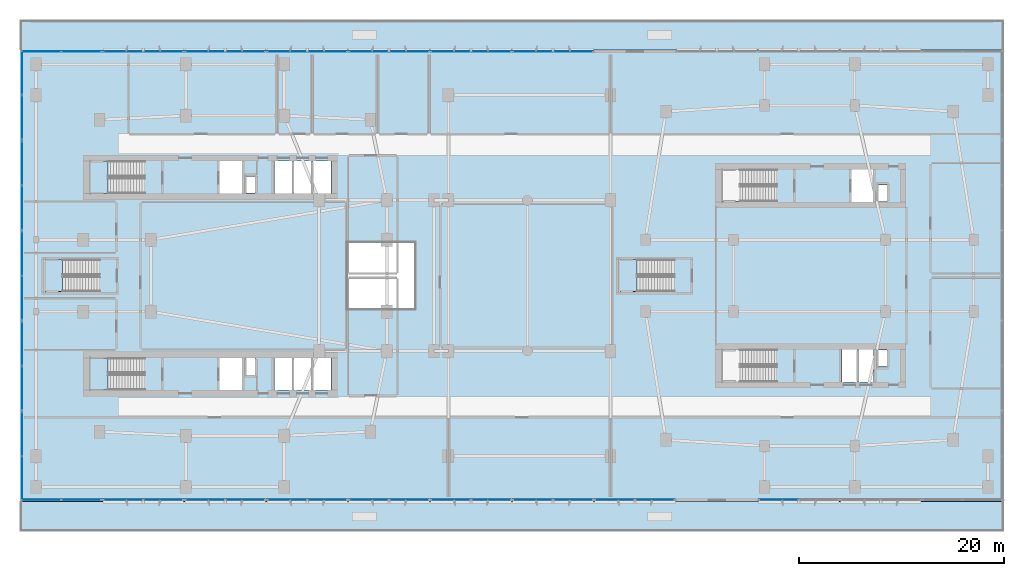
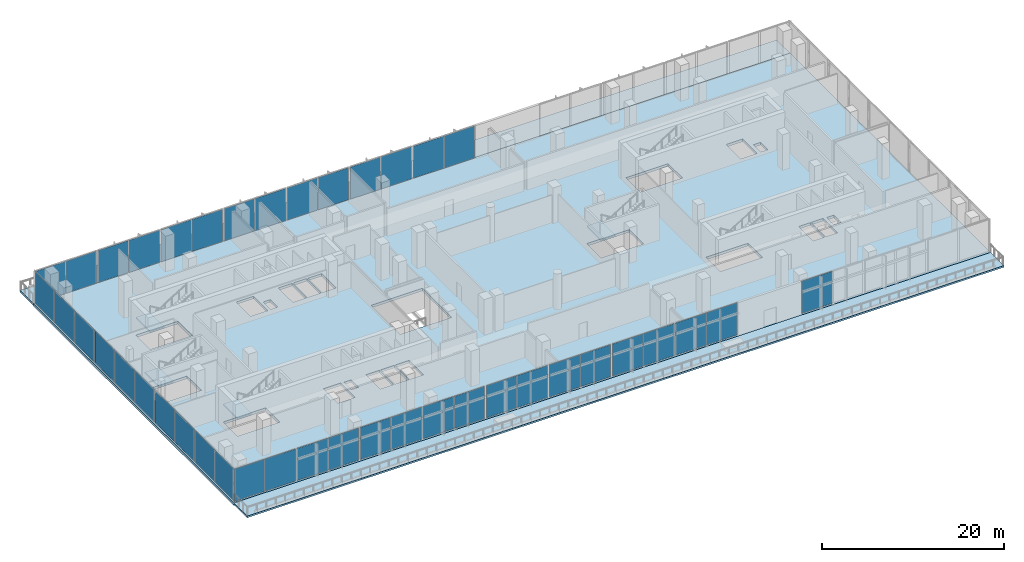
# One storey, part 9 of 30: 41 plates, 7 slabs, 25 elements without a shape of their own.
"""IFC4 building model written with IfcOpenShell, lengths in metres."""

import ifcopenshell
import ifcopenshell.guid

model = None  # the IFC model being written
_history = None  # IfcOwnerHistory: only IFC2X3 demands one
_inside = {}  # id of a spatial element -> (the spatial element, [elements in it])
_under = {}  # id of a project, library or spatial element -> (it, [spatial elements below it])
_declared = {}  # id of a project -> (the project, [libraries it declares])
_typed = {}  # id of a type object -> (the type object, [elements of that type])
_made_of = {}  # id of a material, layer set ... -> (it, [elements and type objects made of it])


def new_model(schema):
    """Start an empty IFC model of exactly this schema.

    Asked for "IFC4X3", IfcOpenShell would pick the latest addendum, in which some entities
    have other attributes; the version numbers below select the first issue.
    IFC2X3 requires an IfcOwnerHistory on every rooted entity: one is made here for all.
    """
    global model, _history
    if schema == "IFC4X3":
        model = ifcopenshell.file(schema_version=(4, 3, 0, 0))
    else:
        model = ifcopenshell.file(schema=schema)
    _inside.clear()
    _under.clear()
    _declared.clear()
    _typed.clear()
    _made_of.clear()
    _history = None
    if model.schema == "IFC2X3":
        org = make("IfcOrganization", Name="unknown")
        user = make(
            "IfcPersonAndOrganization",
            ThePerson=make("IfcPerson", FamilyName="unknown"),
            TheOrganization=org,
        )
        app = make(
            "IfcApplication",
            ApplicationDeveloper=org,
            Version="unknown",
            ApplicationFullName="unknown",
            ApplicationIdentifier="unknown",
        )
        _history = make(
            "IfcOwnerHistory",
            OwningUser=user,
            OwningApplication=app,
            ChangeAction="ADDED",
            CreationDate=0,
        )
    return model


def make(cls, **values):
    """One entity of the class cls with the attributes given. An attribute that is None is left unset."""
    return model.create_entity(
        cls, **{name: value for name, value in values.items() if value is not None}
    )


def rooted(cls, **values):
    """An entity with a GlobalId (a new one), such as an element, a storey or a relation."""
    return make(cls, GlobalId=ifcopenshell.guid.new(), OwnerHistory=_history, **values)


def si_unit(unit_type, name, prefix=None):
    """IfcSIUnit, for example si_unit("LENGTHUNIT", "METRE", prefix="MILLI")."""
    return make("IfcSIUnit", UnitType=unit_type, Prefix=prefix, Name=name)


def derived_unit(unit_type, elements):
    """IfcDerivedUnit: a product of units, each with its exponent."""
    return make(
        "IfcDerivedUnit",
        Elements=[
            make("IfcDerivedUnitElement", Unit=unit, Exponent=power)
            for unit, power in elements
        ],
        UnitType=unit_type,
    )


def assignment(units):
    """IfcUnitAssignment: the units of a project."""
    return None if units is None else make("IfcUnitAssignment", Units=units)


def point(xyz):
    """IfcCartesianPoint."""
    return None if xyz is None else make("IfcCartesianPoint", Coordinates=xyz)


def direction(xyz):
    """IfcDirection."""
    return None if xyz is None else make("IfcDirection", DirectionRatios=xyz)


def frame(location, z_axis=None, x_axis=None):
    """IfcAxis2Placement3D, a coordinate frame: its origin and axes. An axis left out is left unset."""
    return make(
        "IfcAxis2Placement3D",
        Location=point(location),
        Axis=direction(z_axis),
        RefDirection=direction(x_axis),
    )


def frame_2d(location, x_axis=None):
    """IfcAxis2Placement2D, a coordinate frame in the plane: its origin and x axis."""
    return make(
        "IfcAxis2Placement2D", Location=point(location), RefDirection=direction(x_axis)
    )


def origin():
    """The frame at (0, 0, 0) with its axes left unset."""
    return frame((0.0, 0.0, 0.0))


def origin_2d():
    """The frame at (0, 0) in the plane with its x axis left unset."""
    return frame_2d((0.0, 0.0))


def place(relative_to, where):
    """IfcLocalPlacement: puts the frame where relative to a parent placement (None: the world)."""
    return make(
        "IfcLocalPlacement", PlacementRelTo=relative_to, RelativePlacement=where
    )


def context(
    kind, dimensions, precision=None, world=None, true_north=None, identifier=None
):
    """IfcGeometricRepresentationContext, for example the 3D "Model" context."""
    return make(
        "IfcGeometricRepresentationContext",
        ContextIdentifier=identifier,
        ContextType=kind,
        CoordinateSpaceDimension=dimensions,
        Precision=precision,
        WorldCoordinateSystem=world,
        TrueNorth=true_north,
    )


def subcontext(parent, identifier, kind, view, scale=None):
    """IfcGeometricRepresentationSubContext, for example "Body" below "Model"."""
    return make(
        "IfcGeometricRepresentationSubContext",
        ContextIdentifier=identifier,
        ContextType=kind,
        ParentContext=parent,
        TargetScale=scale,
        TargetView=view,
    )


def project(units=None, contexts=None):
    """IfcProject with its units and contexts."""
    return rooted(
        "IfcProject",
        Name="project",
        RepresentationContexts=contexts,
        UnitsInContext=assignment(units),
    )


def spatial(cls, under=None, at=None, **own):
    """A site, building, storey or space (cls), placed at a placement, below another one or the project."""
    s = rooted(cls, ObjectPlacement=at, **own)
    if under is not None:
        _under.setdefault(under.id(), (under, []))[1].append(s)
    return s


def polyline(points):
    """IfcPolyline through the points."""
    return make("IfcPolyline", Points=[point(p) for p in points])


def profile(cls, at=None, kind="AREA", **sizes):
    """A parametric profile (cls). Its sizes go by their IFC names, for example OverallWidth=200.0."""
    return make(cls, ProfileType=kind, Position=at, **sizes)


def rectangle(**sizes):
    """IfcRectangleProfileDef."""
    return profile("IfcRectangleProfileDef", **sizes)


def outline(outer, holes=None, kind="AREA"):
    """IfcArbitraryClosedProfileDef: a profile drawn as a closed curve; with holes, ...WithVoids."""
    if holes is None:
        return make("IfcArbitraryClosedProfileDef", ProfileType=kind, OuterCurve=outer)
    return make(
        "IfcArbitraryProfileDefWithVoids",
        ProfileType=kind,
        OuterCurve=outer,
        InnerCurves=holes,
    )


def extrude(swept, where, along, depth):
    """IfcExtrudedAreaSolid: the profile swept, set in the frame where, extruded along a direction by depth."""
    return make(
        "IfcExtrudedAreaSolid",
        SweptArea=swept,
        Position=where,
        ExtrudedDirection=direction(along),
        Depth=depth,
    )


def shape(context_of_items, identifier, shape_type, items):
    """IfcShapeRepresentation: the items that make up one representation, for example the "Body"."""
    return make(
        "IfcShapeRepresentation",
        ContextOfItems=context_of_items,
        RepresentationIdentifier=identifier,
        RepresentationType=shape_type,
        Items=items,
    )


def material(Name=None, Category=None):
    """IfcMaterial."""
    return make("IfcMaterial", Name=Name, Category=Category)


def layer(
    of_material, thickness, ventilated=None, Name=None, Category=None, Priority=None
):
    """IfcMaterialLayer: one layer of a wall or slab, of a material (None: an air gap)."""
    return make(
        "IfcMaterialLayer",
        Material=of_material,
        LayerThickness=thickness,
        IsVentilated=ventilated,
        Name=Name,
        Category=Category,
        Priority=Priority,
    )


def layer_set(layers, Name=None):
    """IfcMaterialLayerSet."""
    return make("IfcMaterialLayerSet", MaterialLayers=layers, LayerSetName=Name)


def made_of(thing, what):
    """Note that an element or type object is made of a material, layer set ...; save() writes the relation."""
    if what is not None:
        _made_of.setdefault(what.id(), (what, []))[1].append(thing)
    return thing


def type_object(cls, material=None, **own):
    """A type object (cls), such as IfcWallType, which elements share."""
    return made_of(rooted(cls, **own), material)


def element(
    cls,
    number,
    at=None,
    inside=None,
    cuts=None,
    type_object=None,
    material=None,
    context=None,
    identifier="Body",
    shape_type=None,
    held_by="IfcProductDefinitionShape",
    body=None,
    shapes=None,
    **own,
):
    """One element of the class cls, such as IfcWall. Its Tag is "e" and its number.

    at: its placement. inside: the storey or other place that contains it. cuts: it is an
    opening in that element (IfcRelVoidsElement). A single representation is given by context,
    identifier, shape_type and body (its items); several are given by shapes. held_by: the class
    of the entity that holds the representations. save() writes the other relations.
    """
    e = rooted(cls, Tag="e%d" % number, ObjectPlacement=at, **own)
    if body is not None:
        shapes = [shape(context, identifier, shape_type, body)]
    if shapes is not None:
        e.Representation = make(held_by, Representations=shapes)
    if inside is not None:
        _inside.setdefault(inside.id(), (inside, []))[1].append(e)
    if cuts is not None:
        rooted(
            "IfcRelVoidsElement", RelatingBuildingElement=cuts, RelatedOpeningElement=e
        )
    if type_object is not None:
        _typed.setdefault(type_object.id(), (type_object, []))[1].append(e)
    return made_of(e, material)


def aggregate(whole, parts):
    """IfcRelAggregates: a whole, such as a stair, and the parts it consists of."""
    return rooted("IfcRelAggregates", RelatingObject=whole, RelatedObjects=parts)


def save(model, path):
    """Write the relations noted so far, then the file.

    IfcRelAggregates (storeys below a building ...), IfcRelContainedInSpatialStructure (elements
    in a storey), IfcRelDefinesByType, IfcRelAssociatesMaterial and IfcRelDeclares: one each for
    every whole, place, type object, material and project.
    """
    for whole, parts in _under.values():
        aggregate(whole, parts)
    for where, things in _inside.values():
        rooted(
            "IfcRelContainedInSpatialStructure",
            RelatedElements=things,
            RelatingStructure=where,
        )
    for kind, things in _typed.values():
        rooted("IfcRelDefinesByType", RelatedObjects=things, RelatingType=kind)
    for what, things in _made_of.values():
        rooted("IfcRelAssociatesMaterial", RelatedObjects=things, RelatingMaterial=what)
    for by, libraries in _declared.values():
        rooted("IfcRelDeclares", RelatingContext=by, RelatedDefinitions=libraries)
    model.write(path)


model = new_model("IFC4")

# Units and contexts
model_context = context("Model", 3, precision=1e-05, world=origin(), true_north=direction((0.0, 1.0)))
body_context = subcontext(model_context, "Body", "Model", "MODEL_VIEW")
ifc_project = project(units=[si_unit("LENGTHUNIT", "METRE"), si_unit("AREAUNIT", "SQUARE_METRE"), si_unit("VOLUMEUNIT", "CUBIC_METRE"), si_unit("PLANEANGLEUNIT", "RADIAN"), si_unit("MASSUNIT", "GRAM", prefix="KILO"), derived_unit("THERMALTRANSMITTANCEUNIT", [(si_unit("POWERUNIT", "WATT"), 1), (si_unit("LENGTHUNIT", "METRE"), -2), (si_unit("THERMODYNAMICTEMPERATUREUNIT", "KELVIN"), -1)])], contexts=[model_context])

# Site, building, storey
site_placement = place(None, origin())
site = spatial("IfcSite", under=ifc_project, at=site_placement, CompositionType="ELEMENT")
building_placement = place(site_placement, origin())
building = spatial("IfcBuilding", under=site, at=building_placement, Name="Kivonza Crest Hotel", CompositionType="ELEMENT")
storey_placement = place(building_placement, frame((0.0, 0.0, 10.199951171875)))
storey = spatial("IfcBuildingStorey", under=building, at=storey_placement, Name="L02", CompositionType="ELEMENT", Elevation=10.199951171875)

# Curtain wall, plates
ifc_material_1 = material(Name="Anodised bronze aluminium and low-E double glazing", Category="aluminium")
ifc_layer_1 = layer(ifc_material_1, 0.219970703125)
ifc_layer_set_1 = layer_set([ifc_layer_1], Name="Anodised bronze aluminium and low-E double glazing")
curtain_wall_type = type_object("IfcCurtainWallType", Name="CW-SYS-1", PredefinedType="NOTDEFINED", material=ifc_layer_set_1)
curtain_wall_1_placement = place(storey_placement, origin())
curtain_wall_1 = element("IfcCurtainWall", 1, at=curtain_wall_1_placement, inside=storey, type_object=curtain_wall_type, Name="L02 unitised curtain wall CW-POD-L02-01", PredefinedType="NOTDEFINED")
ifc_material_2 = material(Name="Acoustic triple-laminated low-E glazing", Category="glass")
ifc_layer_2 = layer(ifc_material_2, 0.035888671875)
ifc_layer_set_2 = layer_set([ifc_layer_2], Name="Acoustic triple-laminated low-E glazing")
plate_type = type_object("IfcPlateType", Name="CW-PNL-36", PredefinedType="CURTAIN_PANEL", material=ifc_layer_set_2)
plate_1_placement = place(storey_placement, frame((2.115478515625, 3.159912109375, 0.0751953125), z_axis=(0.0, 0.0, 1.0), x_axis=(1.0, 0.0, 0.0)))
plate_1 = element("IfcPlate", 2, at=plate_1_placement, type_object=plate_type, Name="CW-1 panel 1.1", PredefinedType="CURTAIN_PANEL", context=body_context, shape_type="SweptSolid", body=[
    extrude(rectangle(XDim=3.841064453125, YDim=0.035888671875, at=origin_2d()), origin(), (0.0, 0.0, 1.0), 4.300048828125),
])
plate_2_placement = place(storey_placement, frame((6.031494140625, 3.159912109375, 0.0751953125), z_axis=(0.0, 0.0, 1.0), x_axis=(1.0, 0.0, 0.0)))
plate_2 = element("IfcPlate", 3, at=plate_2_placement, type_object=plate_type, Name="CW-1 panel 2.1", PredefinedType="CURTAIN_PANEL", context=body_context, shape_type="SweptSolid", body=[
    extrude(rectangle(XDim=3.841064453125, YDim=0.035888671875, at=origin_2d()), origin(), (0.0, 0.0, 1.0), 4.300048828125),
])
aggregate(curtain_wall_1, [plate_1, plate_2])

curtain_wall_2_placement = place(storey_placement, origin())
curtain_wall_2 = element("IfcCurtainWall", 4, at=curtain_wall_2_placement, inside=storey, type_object=curtain_wall_type, Name="L02 unitised curtain wall CW-POD-L02-02", PredefinedType="NOTDEFINED")
plate_3_placement = place(storey_placement, frame((10.102294921875, 3.159912109375, 0.0751953125), z_axis=(0.0, 0.0, 1.0), x_axis=(1.0, 0.0, 0.0)))
plate_3 = element("IfcPlate", 5, at=plate_3_placement, type_object=plate_type, Name="CW-1 panel 1.1", PredefinedType="CURTAIN_PANEL", context=body_context, shape_type="SweptSolid", body=[
    extrude(rectangle(XDim=3.840576171875, YDim=0.035888671875, at=origin_2d()), origin(), (0.0, 0.0, 1.0), 4.300048828125),
])
plate_4_placement = place(storey_placement, frame((14.017822265625, 3.159912109375, 0.0751953125), z_axis=(0.0, 0.0, 1.0), x_axis=(1.0, 0.0, 0.0)))
plate_4 = element("IfcPlate", 6, at=plate_4_placement, type_object=plate_type, Name="CW-1 panel 2.1", PredefinedType="CURTAIN_PANEL", context=body_context, shape_type="SweptSolid", body=[
    extrude(rectangle(XDim=3.840576171875, YDim=0.035888671875, at=origin_2d()), origin(), (0.0, 0.0, 1.0), 4.300048828125),
])
aggregate(curtain_wall_2, [plate_3, plate_4])

curtain_wall_3_placement = place(storey_placement, origin())
curtain_wall_3 = element("IfcCurtainWall", 7, at=curtain_wall_3_placement, inside=storey, type_object=curtain_wall_type, Name="L02 unitised curtain wall CW-POD-L02-03", PredefinedType="NOTDEFINED")
plate_5_placement = place(storey_placement, frame((18.08837890625, 3.159912109375, 0.0751953125), z_axis=(0.0, 0.0, 1.0), x_axis=(1.0, 0.0, 0.0)))
plate_5 = element("IfcPlate", 8, at=plate_5_placement, type_object=plate_type, Name="CW-1 panel 1.1", PredefinedType="CURTAIN_PANEL", context=body_context, shape_type="SweptSolid", body=[
    extrude(rectangle(XDim=3.841064453125, YDim=0.035888671875, at=origin_2d()), origin(), (0.0, 0.0, 1.0), 4.300048828125),
])
plate_6_placement = place(storey_placement, frame((22.00439453125, 3.159912109375, 0.0751953125), z_axis=(0.0, 0.0, 1.0), x_axis=(1.0, 0.0, 0.0)))
plate_6 = element("IfcPlate", 9, at=plate_6_placement, type_object=plate_type, Name="CW-1 panel 2.1", PredefinedType="CURTAIN_PANEL", context=body_context, shape_type="SweptSolid", body=[
    extrude(rectangle(XDim=3.841064453125, YDim=0.035888671875, at=origin_2d()), origin(), (0.0, 0.0, 1.0), 4.300048828125),
])
aggregate(curtain_wall_3, [plate_5, plate_6])

curtain_wall_4_placement = place(storey_placement, origin())
curtain_wall_4 = element("IfcCurtainWall", 10, at=curtain_wall_4_placement, inside=storey, type_object=curtain_wall_type, Name="L02 unitised curtain wall CW-POD-L02-04", PredefinedType="NOTDEFINED")
plate_7_placement = place(storey_placement, frame((26.075439453125, 3.159912109375, 0.0751953125), z_axis=(0.0, 0.0, 1.0), x_axis=(1.0, 0.0, 0.0)))
plate_7 = element("IfcPlate", 11, at=plate_7_placement, type_object=plate_type, Name="CW-1 panel 1.1", PredefinedType="CURTAIN_PANEL", context=body_context, shape_type="SweptSolid", body=[
    extrude(rectangle(XDim=3.841064453125, YDim=0.035888671875, at=origin_2d()), origin(), (0.0, 0.0, 1.0), 4.300048828125),
])
plate_8_placement = place(storey_placement, frame((29.991455078125, 3.159912109375, 0.0751953125), z_axis=(0.0, 0.0, 1.0), x_axis=(1.0, 0.0, 0.0)))
plate_8 = element("IfcPlate", 12, at=plate_8_placement, type_object=plate_type, Name="CW-1 panel 2.1", PredefinedType="CURTAIN_PANEL", context=body_context, shape_type="SweptSolid", body=[
    extrude(rectangle(XDim=3.841064453125, YDim=0.035888671875, at=origin_2d()), origin(), (0.0, 0.0, 1.0), 4.300048828125),
])
aggregate(curtain_wall_4, [plate_7, plate_8])

curtain_wall_5_placement = place(storey_placement, origin())
curtain_wall_5 = element("IfcCurtainWall", 13, at=curtain_wall_5_placement, inside=storey, type_object=curtain_wall_type, Name="L02 unitised curtain wall CW-POD-L02-05", PredefinedType="NOTDEFINED")
plate_9_placement = place(storey_placement, frame((34.062255859375, 3.159912109375, 0.0751953125), z_axis=(0.0, 0.0, 1.0), x_axis=(1.0, 0.0, 0.0)))
plate_9 = element("IfcPlate", 14, at=plate_9_placement, type_object=plate_type, Name="CW-1 panel 1.1", PredefinedType="CURTAIN_PANEL", context=body_context, shape_type="SweptSolid", body=[
    extrude(rectangle(XDim=3.840576171875, YDim=0.035888671875, at=origin_2d()), origin(), (0.0, 0.0, 1.0), 4.300048828125),
])
plate_10_placement = place(storey_placement, frame((37.977783203125, 3.159912109375, 0.0751953125), z_axis=(0.0, 0.0, 1.0), x_axis=(1.0, 0.0, 0.0)))
plate_10 = element("IfcPlate", 15, at=plate_10_placement, type_object=plate_type, Name="CW-1 panel 2.1", PredefinedType="CURTAIN_PANEL", context=body_context, shape_type="SweptSolid", body=[
    extrude(rectangle(XDim=3.840576171875, YDim=0.035888671875, at=origin_2d()), origin(), (0.0, 0.0, 1.0), 4.300048828125),
])
aggregate(curtain_wall_5, [plate_9, plate_10])

curtain_wall_6_placement = place(storey_placement, origin())
curtain_wall_6 = element("IfcCurtainWall", 16, at=curtain_wall_6_placement, inside=storey, type_object=curtain_wall_type, Name="L02 unitised curtain wall CW-POD-L02-06", PredefinedType="NOTDEFINED")
plate_11_placement = place(storey_placement, frame((42.048583984375, 3.159912109375, 0.0751953125), z_axis=(0.0, 0.0, 1.0), x_axis=(1.0, 0.0, 0.0)))
plate_11 = element("IfcPlate", 17, at=plate_11_placement, type_object=plate_type, Name="CW-1 panel 1.1", PredefinedType="CURTAIN_PANEL", context=body_context, shape_type="SweptSolid", body=[
    extrude(rectangle(XDim=3.841064453125, YDim=0.035888671875, at=origin_2d()), origin(), (0.0, 0.0, 1.0), 4.300048828125),
])
plate_12_placement = place(storey_placement, frame((45.964599609375, 3.159912109375, 0.0751953125), z_axis=(0.0, 0.0, 1.0), x_axis=(1.0, 0.0, 0.0)))
plate_12 = element("IfcPlate", 18, at=plate_12_placement, type_object=plate_type, Name="CW-1 panel 2.1", PredefinedType="CURTAIN_PANEL", context=body_context, shape_type="SweptSolid", body=[
    extrude(rectangle(XDim=3.841064453125, YDim=0.035888671875, at=origin_2d()), origin(), (0.0, 0.0, 1.0), 4.300048828125),
])
aggregate(curtain_wall_6, [plate_11, plate_12])

curtain_wall_7_placement = place(storey_placement, origin())
curtain_wall_7 = element("IfcCurtainWall", 19, at=curtain_wall_7_placement, inside=storey, type_object=curtain_wall_type, Name="L02 unitised curtain wall CW-POD-L02-07", PredefinedType="NOTDEFINED")
plate_13_placement = place(storey_placement, frame((50.035400390625, 3.159912109375, 0.0751953125), z_axis=(0.0, 0.0, 1.0), x_axis=(1.0, 0.0, 0.0)))
plate_13 = element("IfcPlate", 20, at=plate_13_placement, type_object=plate_type, Name="CW-1 panel 1.1", PredefinedType="CURTAIN_PANEL", context=body_context, shape_type="SweptSolid", body=[
    extrude(rectangle(XDim=3.841064453125, YDim=0.035888671875, at=origin_2d()), origin(), (0.0, 0.0, 1.0), 4.300048828125),
])
plate_14_placement = place(storey_placement, frame((53.951416015625, 3.159912109375, 0.0751953125), z_axis=(0.0, 0.0, 1.0), x_axis=(1.0, 0.0, 0.0)))
plate_14 = element("IfcPlate", 21, at=plate_14_placement, type_object=plate_type, Name="CW-1 panel 2.1", PredefinedType="CURTAIN_PANEL", context=body_context, shape_type="SweptSolid", body=[
    extrude(rectangle(XDim=3.841064453125, YDim=0.035888671875, at=origin_2d()), origin(), (0.0, 0.0, 1.0), 4.300048828125),
])
aggregate(curtain_wall_7, [plate_13, plate_14])

curtain_wall_8_placement = place(storey_placement, origin())
curtain_wall_8 = element("IfcCurtainWall", 22, at=curtain_wall_8_placement, inside=storey, type_object=curtain_wall_type, Name="L02 unitised curtain wall CW-POD-L02-08", PredefinedType="NOTDEFINED")
plate_15_placement = place(storey_placement, frame((58.022216796875, 3.159912109375, 0.0751953125), z_axis=(0.0, 0.0, 1.0), x_axis=(1.0, 0.0, 0.0)))
plate_15 = element("IfcPlate", 23, at=plate_15_placement, type_object=plate_type, Name="CW-1 panel 1.1", PredefinedType="CURTAIN_PANEL", context=body_context, shape_type="SweptSolid", body=[
    extrude(rectangle(XDim=3.840576171875, YDim=0.035888671875, at=origin_2d()), origin(), (0.0, 0.0, 1.0), 4.300048828125),
])
plate_16_placement = place(storey_placement, frame((61.937744140625, 3.159912109375, 0.0751953125), z_axis=(0.0, 0.0, 1.0), x_axis=(1.0, 0.0, 0.0)))
plate_16 = element("IfcPlate", 24, at=plate_16_placement, type_object=plate_type, Name="CW-1 panel 2.1", PredefinedType="CURTAIN_PANEL", context=body_context, shape_type="SweptSolid", body=[
    extrude(rectangle(XDim=3.840576171875, YDim=0.035888671875, at=origin_2d()), origin(), (0.0, 0.0, 1.0), 4.300048828125),
])
aggregate(curtain_wall_8, [plate_15, plate_16])

# Curtain wall, plate
curtain_wall_9_placement = place(storey_placement, origin())
curtain_wall_9 = element("IfcCurtainWall", 25, at=curtain_wall_9_placement, inside=storey, type_object=curtain_wall_type, Name="L02 unitised curtain wall CW-POD-L02-10", PredefinedType="NOTDEFINED")
plate_17_placement = place(storey_placement, frame((73.99560546875, 3.159912109375, 0.0751953125), z_axis=(0.0, 0.0, 1.0), x_axis=(1.0, 0.0, 0.0)))
plate_17 = element("IfcPlate", 26, at=plate_17_placement, type_object=plate_type, Name="CW-1 panel 1.1", PredefinedType="CURTAIN_PANEL", context=body_context, shape_type="SweptSolid", body=[
    extrude(rectangle(XDim=3.841064453125, YDim=0.035888671875, at=origin_2d()), origin(), (0.0, 0.0, 1.0), 4.300048828125),
])
aggregate(curtain_wall_9, [plate_17])

# Curtain wall, plates
curtain_wall_10_placement = place(storey_placement, origin())
curtain_wall_10 = element("IfcCurtainWall", 27, at=curtain_wall_10_placement, inside=storey, type_object=curtain_wall_type, Name="L02 unitised curtain wall CW-POD-L02-23", PredefinedType="NOTDEFINED")
plate_18_placement = place(storey_placement, frame((53.951416015625, 46.840087890625, 0.0751953125), z_axis=(0.0, 0.0, 1.0), x_axis=(-1.0, 0.0, 0.0)))
plate_18 = element("IfcPlate", 28, at=plate_18_placement, type_object=plate_type, Name="CW-1 panel 1.1", PredefinedType="CURTAIN_PANEL", context=body_context, shape_type="SweptSolid", body=[
    extrude(rectangle(XDim=3.841064453125, YDim=0.035888671875, at=origin_2d()), origin(), (0.0, 0.0, 1.0), 4.300048828125),
])
plate_19_placement = place(storey_placement, frame((50.035400390625, 46.840087890625, 0.0751953125), z_axis=(0.0, 0.0, 1.0), x_axis=(-1.0, 0.0, 0.0)))
plate_19 = element("IfcPlate", 29, at=plate_19_placement, type_object=plate_type, Name="CW-1 panel 2.1", PredefinedType="CURTAIN_PANEL", context=body_context, shape_type="SweptSolid", body=[
    extrude(rectangle(XDim=3.841064453125, YDim=0.035888671875, at=origin_2d()), origin(), (0.0, 0.0, 1.0), 4.300048828125),
])
aggregate(curtain_wall_10, [plate_18, plate_19])

curtain_wall_11_placement = place(storey_placement, origin())
curtain_wall_11 = element("IfcCurtainWall", 30, at=curtain_wall_11_placement, inside=storey, type_object=curtain_wall_type, Name="L02 unitised curtain wall CW-POD-L02-24", PredefinedType="NOTDEFINED")
plate_20_placement = place(storey_placement, frame((45.964599609375, 46.840087890625, 0.0751953125), z_axis=(0.0, 0.0, 1.0), x_axis=(-1.0, 0.0, 0.0)))
plate_20 = element("IfcPlate", 31, at=plate_20_placement, type_object=plate_type, Name="CW-1 panel 1.1", PredefinedType="CURTAIN_PANEL", context=body_context, shape_type="SweptSolid", body=[
    extrude(rectangle(XDim=3.841064453125, YDim=0.035888671875, at=origin_2d()), origin(), (0.0, 0.0, 1.0), 4.300048828125),
])
plate_21_placement = place(storey_placement, frame((42.048583984375, 46.840087890625, 0.0751953125), z_axis=(0.0, 0.0, 1.0), x_axis=(-1.0, 0.0, 0.0)))
plate_21 = element("IfcPlate", 32, at=plate_21_placement, type_object=plate_type, Name="CW-1 panel 2.1", PredefinedType="CURTAIN_PANEL", context=body_context, shape_type="SweptSolid", body=[
    extrude(rectangle(XDim=3.841064453125, YDim=0.035888671875, at=origin_2d()), origin(), (0.0, 0.0, 1.0), 4.300048828125),
])
aggregate(curtain_wall_11, [plate_20, plate_21])

curtain_wall_12_placement = place(storey_placement, origin())
curtain_wall_12 = element("IfcCurtainWall", 33, at=curtain_wall_12_placement, inside=storey, type_object=curtain_wall_type, Name="L02 unitised curtain wall CW-POD-L02-25", PredefinedType="NOTDEFINED")
plate_22_placement = place(storey_placement, frame((37.977783203125, 46.840087890625, 0.0751953125), z_axis=(0.0, 0.0, 1.0), x_axis=(-1.0, 0.0, 0.0)))
plate_22 = element("IfcPlate", 34, at=plate_22_placement, type_object=plate_type, Name="CW-1 panel 1.1", PredefinedType="CURTAIN_PANEL", context=body_context, shape_type="SweptSolid", body=[
    extrude(rectangle(XDim=3.840576171875, YDim=0.035888671875, at=origin_2d()), origin(), (0.0, 0.0, 1.0), 4.300048828125),
])
plate_23_placement = place(storey_placement, frame((34.062255859375, 46.840087890625, 0.0751953125), z_axis=(0.0, 0.0, 1.0), x_axis=(-1.0, 0.0, 0.0)))
plate_23 = element("IfcPlate", 35, at=plate_23_placement, type_object=plate_type, Name="CW-1 panel 2.1", PredefinedType="CURTAIN_PANEL", context=body_context, shape_type="SweptSolid", body=[
    extrude(rectangle(XDim=3.840576171875, YDim=0.035888671875, at=origin_2d()), origin(), (0.0, 0.0, 1.0), 4.300048828125),
])
aggregate(curtain_wall_12, [plate_22, plate_23])

curtain_wall_13_placement = place(storey_placement, origin())
curtain_wall_13 = element("IfcCurtainWall", 36, at=curtain_wall_13_placement, inside=storey, type_object=curtain_wall_type, Name="L02 unitised curtain wall CW-POD-L02-26", PredefinedType="NOTDEFINED")
plate_24_placement = place(storey_placement, frame((29.991455078125, 46.840087890625, 0.0751953125), z_axis=(0.0, 0.0, 1.0), x_axis=(-1.0, 0.0, 0.0)))
plate_24 = element("IfcPlate", 37, at=plate_24_placement, type_object=plate_type, Name="CW-1 panel 1.1", PredefinedType="CURTAIN_PANEL", context=body_context, shape_type="SweptSolid", body=[
    extrude(rectangle(XDim=3.841064453125, YDim=0.035888671875, at=origin_2d()), origin(), (0.0, 0.0, 1.0), 4.300048828125),
])
plate_25_placement = place(storey_placement, frame((26.075439453125, 46.840087890625, 0.0751953125), z_axis=(0.0, 0.0, 1.0), x_axis=(-1.0, 0.0, 0.0)))
plate_25 = element("IfcPlate", 38, at=plate_25_placement, type_object=plate_type, Name="CW-1 panel 2.1", PredefinedType="CURTAIN_PANEL", context=body_context, shape_type="SweptSolid", body=[
    extrude(rectangle(XDim=3.841064453125, YDim=0.035888671875, at=origin_2d()), origin(), (0.0, 0.0, 1.0), 4.300048828125),
])
aggregate(curtain_wall_13, [plate_24, plate_25])

curtain_wall_14_placement = place(storey_placement, origin())
curtain_wall_14 = element("IfcCurtainWall", 39, at=curtain_wall_14_placement, inside=storey, type_object=curtain_wall_type, Name="L02 unitised curtain wall CW-POD-L02-27", PredefinedType="NOTDEFINED")
plate_26_placement = place(storey_placement, frame((22.00439453125, 46.840087890625, 0.0751953125), z_axis=(0.0, 0.0, 1.0), x_axis=(-1.0, 0.0, 0.0)))
plate_26 = element("IfcPlate", 40, at=plate_26_placement, type_object=plate_type, Name="CW-1 panel 1.1", PredefinedType="CURTAIN_PANEL", context=body_context, shape_type="SweptSolid", body=[
    extrude(rectangle(XDim=3.841064453125, YDim=0.035888671875, at=origin_2d()), origin(), (0.0, 0.0, 1.0), 4.300048828125),
])
plate_27_placement = place(storey_placement, frame((18.08837890625, 46.840087890625, 0.0751953125), z_axis=(0.0, 0.0, 1.0), x_axis=(-1.0, 0.0, 0.0)))
plate_27 = element("IfcPlate", 41, at=plate_27_placement, type_object=plate_type, Name="CW-1 panel 2.1", PredefinedType="CURTAIN_PANEL", context=body_context, shape_type="SweptSolid", body=[
    extrude(rectangle(XDim=3.841064453125, YDim=0.035888671875, at=origin_2d()), origin(), (0.0, 0.0, 1.0), 4.300048828125),
])
aggregate(curtain_wall_14, [plate_26, plate_27])

curtain_wall_15_placement = place(storey_placement, origin())
curtain_wall_15 = element("IfcCurtainWall", 42, at=curtain_wall_15_placement, inside=storey, type_object=curtain_wall_type, Name="L02 unitised curtain wall CW-POD-L02-28", PredefinedType="NOTDEFINED")
plate_28_placement = place(storey_placement, frame((14.017822265625, 46.840087890625, 0.0751953125), z_axis=(0.0, 0.0, 1.0), x_axis=(-1.0, 0.0, 0.0)))
plate_28 = element("IfcPlate", 43, at=plate_28_placement, type_object=plate_type, Name="CW-1 panel 1.1", PredefinedType="CURTAIN_PANEL", context=body_context, shape_type="SweptSolid", body=[
    extrude(rectangle(XDim=3.840576171875, YDim=0.035888671875, at=origin_2d()), origin(), (0.0, 0.0, 1.0), 4.300048828125),
])
plate_29_placement = place(storey_placement, frame((10.102294921875, 46.840087890625, 0.0751953125), z_axis=(0.0, 0.0, 1.0), x_axis=(-1.0, 0.0, 0.0)))
plate_29 = element("IfcPlate", 44, at=plate_29_placement, type_object=plate_type, Name="CW-1 panel 2.1", PredefinedType="CURTAIN_PANEL", context=body_context, shape_type="SweptSolid", body=[
    extrude(rectangle(XDim=3.840576171875, YDim=0.035888671875, at=origin_2d()), origin(), (0.0, 0.0, 1.0), 4.300048828125),
])
aggregate(curtain_wall_15, [plate_28, plate_29])

curtain_wall_16_placement = place(storey_placement, origin())
curtain_wall_16 = element("IfcCurtainWall", 45, at=curtain_wall_16_placement, inside=storey, type_object=curtain_wall_type, Name="L02 unitised curtain wall CW-POD-L02-29", PredefinedType="NOTDEFINED")
plate_30_placement = place(storey_placement, frame((6.031494140625, 46.840087890625, 0.0751953125), z_axis=(0.0, 0.0, 1.0), x_axis=(-1.0, 0.0, 0.0)))
plate_30 = element("IfcPlate", 46, at=plate_30_placement, type_object=plate_type, Name="CW-1 panel 1.1", PredefinedType="CURTAIN_PANEL", context=body_context, shape_type="SweptSolid", body=[
    extrude(rectangle(XDim=3.841064453125, YDim=0.035888671875, at=origin_2d()), origin(), (0.0, 0.0, 1.0), 4.300048828125),
])
plate_31_placement = place(storey_placement, frame((2.115478515625, 46.840087890625, 0.0751953125), z_axis=(0.0, 0.0, 1.0), x_axis=(-1.0, 0.0, 0.0)))
plate_31 = element("IfcPlate", 47, at=plate_31_placement, type_object=plate_type, Name="CW-1 panel 2.1", PredefinedType="CURTAIN_PANEL", context=body_context, shape_type="SweptSolid", body=[
    extrude(rectangle(XDim=3.841064453125, YDim=0.035888671875, at=origin_2d()), origin(), (0.0, 0.0, 1.0), 4.300048828125),
])
aggregate(curtain_wall_16, [plate_30, plate_31])

curtain_wall_17_placement = place(storey_placement, origin())
curtain_wall_17 = element("IfcCurtainWall", 48, at=curtain_wall_17_placement, inside=storey, type_object=curtain_wall_type, Name="L02 unitised curtain wall CW-POD-L02-30", PredefinedType="NOTDEFINED")
plate_32_placement = place(storey_placement, frame((0.239990234375, 44.76123046875, 0.0751953125), z_axis=(0.0, 0.0, 1.0), x_axis=(0.0, -1.0, 0.0)))
plate_32 = element("IfcPlate", 49, at=plate_32_placement, type_object=plate_type, Name="CW-1 panel 1.1", PredefinedType="CURTAIN_PANEL", context=body_context, shape_type="SweptSolid", body=[
    extrude(rectangle(XDim=4.24755859375, YDim=0.035888671875, at=origin_2d()), origin(), (0.0, 0.0, 1.0), 4.300048828125),
])
plate_33_placement = place(storey_placement, frame((0.239990234375, 40.438720703125, 0.0751953125), z_axis=(0.0, 0.0, 1.0), x_axis=(0.0, -1.0, 0.0)))
plate_33 = element("IfcPlate", 50, at=plate_33_placement, type_object=plate_type, Name="CW-1 panel 2.1", PredefinedType="CURTAIN_PANEL", context=body_context, shape_type="SweptSolid", body=[
    extrude(rectangle(XDim=4.24755859375, YDim=0.035888671875, at=origin_2d()), origin(), (0.0, 0.0, 1.0), 4.300048828125),
])
aggregate(curtain_wall_17, [plate_32, plate_33])

curtain_wall_18_placement = place(storey_placement, origin())
curtain_wall_18 = element("IfcCurtainWall", 51, at=curtain_wall_18_placement, inside=storey, type_object=curtain_wall_type, Name="L02 unitised curtain wall CW-POD-L02-31", PredefinedType="NOTDEFINED")
plate_34_placement = place(storey_placement, frame((0.239990234375, 35.961181640625, 0.0751953125), z_axis=(0.0, 0.0, 1.0), x_axis=(0.0, -1.0, 0.0)))
plate_34 = element("IfcPlate", 52, at=plate_34_placement, type_object=plate_type, Name="CW-1 panel 1.1", PredefinedType="CURTAIN_PANEL", context=body_context, shape_type="SweptSolid", body=[
    extrude(rectangle(XDim=4.24755859375, YDim=0.035888671875, at=origin_2d()), origin(), (0.0, 0.0, 1.0), 4.300048828125),
])
plate_35_placement = place(storey_placement, frame((0.239990234375, 31.638671875, 0.0751953125), z_axis=(0.0, 0.0, 1.0), x_axis=(0.0, -1.0, 0.0)))
plate_35 = element("IfcPlate", 53, at=plate_35_placement, type_object=plate_type, Name="CW-1 panel 2.1", PredefinedType="CURTAIN_PANEL", context=body_context, shape_type="SweptSolid", body=[
    extrude(rectangle(XDim=4.24755859375, YDim=0.035888671875, at=origin_2d()), origin(), (0.0, 0.0, 1.0), 4.300048828125),
])
aggregate(curtain_wall_18, [plate_34, plate_35])

curtain_wall_19_placement = place(storey_placement, origin())
curtain_wall_19 = element("IfcCurtainWall", 54, at=curtain_wall_19_placement, inside=storey, type_object=curtain_wall_type, Name="L02 unitised curtain wall CW-POD-L02-32", PredefinedType="NOTDEFINED")
plate_36_placement = place(storey_placement, frame((0.239990234375, 27.1611328125, 0.0751953125), z_axis=(0.0, 0.0, 1.0), x_axis=(0.0, -1.0, 0.0)))
plate_36 = element("IfcPlate", 55, at=plate_36_placement, type_object=plate_type, Name="CW-1 panel 1.1", PredefinedType="CURTAIN_PANEL", context=body_context, shape_type="SweptSolid", body=[
    extrude(rectangle(XDim=4.24755859375, YDim=0.035888671875, at=origin_2d()), origin(), (0.0, 0.0, 1.0), 4.300048828125),
])
plate_37_placement = place(storey_placement, frame((0.239990234375, 22.8388671875, 0.0751953125), z_axis=(0.0, 0.0, 1.0), x_axis=(0.0, -1.0, 0.0)))
plate_37 = element("IfcPlate", 56, at=plate_37_placement, type_object=plate_type, Name="CW-1 panel 2.1", PredefinedType="CURTAIN_PANEL", context=body_context, shape_type="SweptSolid", body=[
    extrude(rectangle(XDim=4.24755859375, YDim=0.035888671875, at=origin_2d()), origin(), (0.0, 0.0, 1.0), 4.300048828125),
])
aggregate(curtain_wall_19, [plate_36, plate_37])

curtain_wall_20_placement = place(storey_placement, origin())
curtain_wall_20 = element("IfcCurtainWall", 57, at=curtain_wall_20_placement, inside=storey, type_object=curtain_wall_type, Name="L02 unitised curtain wall CW-POD-L02-33", PredefinedType="NOTDEFINED")
plate_38_placement = place(storey_placement, frame((0.239990234375, 18.361328125, 0.0751953125), z_axis=(0.0, 0.0, 1.0), x_axis=(0.0, -1.0, 0.0)))
plate_38 = element("IfcPlate", 58, at=plate_38_placement, type_object=plate_type, Name="CW-1 panel 1.1", PredefinedType="CURTAIN_PANEL", context=body_context, shape_type="SweptSolid", body=[
    extrude(rectangle(XDim=4.24755859375, YDim=0.035888671875, at=origin_2d()), origin(), (0.0, 0.0, 1.0), 4.300048828125),
])
plate_39_placement = place(storey_placement, frame((0.239990234375, 14.038818359375, 0.0751953125), z_axis=(0.0, 0.0, 1.0), x_axis=(0.0, -1.0, 0.0)))
plate_39 = element("IfcPlate", 59, at=plate_39_placement, type_object=plate_type, Name="CW-1 panel 2.1", PredefinedType="CURTAIN_PANEL", context=body_context, shape_type="SweptSolid", body=[
    extrude(rectangle(XDim=4.24755859375, YDim=0.035888671875, at=origin_2d()), origin(), (0.0, 0.0, 1.0), 4.300048828125),
])
aggregate(curtain_wall_20, [plate_38, plate_39])

curtain_wall_21_placement = place(storey_placement, origin())
curtain_wall_21 = element("IfcCurtainWall", 60, at=curtain_wall_21_placement, inside=storey, type_object=curtain_wall_type, Name="L02 unitised curtain wall CW-POD-L02-34", PredefinedType="NOTDEFINED")
plate_40_placement = place(storey_placement, frame((0.239990234375, 9.561279296875, 0.0751953125), z_axis=(0.0, 0.0, 1.0), x_axis=(0.0, -1.0, 0.0)))
plate_40 = element("IfcPlate", 61, at=plate_40_placement, type_object=plate_type, Name="CW-1 panel 1.1", PredefinedType="CURTAIN_PANEL", context=body_context, shape_type="SweptSolid", body=[
    extrude(rectangle(XDim=4.24755859375, YDim=0.035888671875, at=origin_2d()), origin(), (0.0, 0.0, 1.0), 4.300048828125),
])
plate_41_placement = place(storey_placement, frame((0.239990234375, 5.23876953125, 0.0751953125), z_axis=(0.0, 0.0, 1.0), x_axis=(0.0, -1.0, 0.0)))
plate_41 = element("IfcPlate", 62, at=plate_41_placement, type_object=plate_type, Name="CW-1 panel 2.1", PredefinedType="CURTAIN_PANEL", context=body_context, shape_type="SweptSolid", body=[
    extrude(rectangle(XDim=4.24755859375, YDim=0.035888671875, at=origin_2d()), origin(), (0.0, 0.0, 1.0), 4.300048828125),
])
aggregate(curtain_wall_21, [plate_40, plate_41])

# Stair, slab
ifc_material_3 = material(Name="Concrete C40/50", Category="concrete")
stair_type = type_object("IfcStairType", Name="ST-DL-28R", PredefinedType="HALF_TURN_STAIR", material=ifc_material_3)
stair_1_placement = place(storey_placement, origin())
stair_1 = element("IfcStair", 63, at=stair_1_placement, inside=storey, type_object=stair_type, Name="L02 Protected Exit Stair ST-T1-N", PredefinedType="HALF_TURN_STAIR")
ifc_layer_3 = layer(ifc_material_3, 0.199951171875)
ifc_layer_set_3 = layer_set([ifc_layer_3], Name="Concrete C40/50")
slab_type_1 = type_object("IfcSlabType", Name="SL-LAND-200", PredefinedType="LANDING", material=ifc_layer_set_3)
slab_1_placement = place(storey_placement, frame((0.0, 0.0, 2.199951171875)))
slab_1 = element("IfcSlab", 64, at=slab_1_placement, type_object=slab_type_1, Name="ST-T1-N landing 1", PredefinedType="LANDING", context=body_context, shape_type="SweptSolid", body=[
    extrude(outline(polyline([(8.60009765625, 36.159912109375), (6.800048828125, 36.159912109375), (6.800048828125, 33.02001953125), (8.60009765625, 33.02001953125), (8.60009765625, 36.159912109375)])), origin(), (0.0, 0.0, 1.0), 0.2001953125),
])
aggregate(stair_1, [slab_1])

stair_2_placement = place(storey_placement, origin())
stair_2 = element("IfcStair", 65, at=stair_2_placement, inside=storey, type_object=stair_type, Name="L02 Protected Exit Stair ST-T1-S", PredefinedType="HALF_TURN_STAIR")
slab_2_placement = place(storey_placement, frame((0.0, 0.0, 2.199951171875)))
slab_2 = element("IfcSlab", 66, at=slab_2_placement, type_object=slab_type_1, Name="ST-T1-S landing 1", PredefinedType="LANDING", context=body_context, shape_type="SweptSolid", body=[
    extrude(outline(polyline([(8.60009765625, 17.0), (6.800048828125, 17.0), (6.800048828125, 13.860107421875), (8.60009765625, 13.860107421875), (8.60009765625, 17.0)])), origin(), (0.0, 0.0, 1.0), 0.2001953125),
])
aggregate(stair_2, [slab_2])

stair_3_placement = place(storey_placement, origin())
stair_3 = element("IfcStair", 67, at=stair_3_placement, inside=storey, type_object=stair_type, Name="L02 Podium Escape Stair ST-POD-W", PredefinedType="HALF_TURN_STAIR")
slab_3_placement = place(storey_placement, frame((0.0, 0.0, 2.199951171875)))
slab_3 = element("IfcSlab", 68, at=slab_3_placement, type_object=slab_type_1, Name="ST-POD-W landing 1", PredefinedType="LANDING", context=body_context, shape_type="SweptSolid", body=[
    extrude(outline(polyline([(4.199951171875, 26.580078125), (2.39990234375, 26.580078125), (2.39990234375, 23.43994140625), (4.199951171875, 23.43994140625), (4.199951171875, 26.580078125)])), origin(), (0.0, 0.0, 1.0), 0.2001953125),
])
aggregate(stair_3, [slab_3])

stair_4_placement = place(storey_placement, origin())
stair_4 = element("IfcStair", 69, at=stair_4_placement, inside=storey, type_object=stair_type, Name="L02 Podium Escape Stair ST-POD-E", PredefinedType="HALF_TURN_STAIR")
slab_4_placement = place(storey_placement, frame((0.0, 0.0, 2.199951171875)))
slab_4 = element("IfcSlab", 70, at=slab_4_placement, type_object=slab_type_1, Name="ST-POD-E landing 1", PredefinedType="LANDING", context=body_context, shape_type="SweptSolid", body=[
    extrude(outline(polyline([(60.199951171875, 26.580078125), (58.39990234375, 26.580078125), (58.39990234375, 23.43994140625), (60.199951171875, 23.43994140625), (60.199951171875, 26.580078125)])), origin(), (0.0, 0.0, 1.0), 0.2001953125),
])
aggregate(stair_4, [slab_4])

# Slabs
ifc_layer_4 = layer(ifc_material_3, 0.35009765625)
ifc_layer_set_4 = layer_set([ifc_layer_4], Name="Concrete C40/50")
slab_type_2 = type_object("IfcSlabType", Name="SL-POD-350", PredefinedType="FLOOR", material=ifc_layer_set_4)
slab_5_placement = place(storey_placement, frame((0.0, 0.0, -0.349853515625)))
element("IfcSlab", 71, at=slab_5_placement, inside=storey, type_object=slab_type_2, Name="L02 structural floor plate", PredefinedType="FLOOR", context=body_context, shape_type="SweptSolid", body=[
    extrude(outline(polyline([(0.080078125, 3.0), (95.919921875, 3.0), (95.919921875, 47.0), (0.080078125, 47.0), (0.080078125, 3.0)]), holes=[polyline([(6.800048828125, 33.02001953125), (12.159912109375, 33.02001953125), (12.159912109375, 36.159912109375), (6.800048828125, 36.159912109375), (6.800048828125, 33.02001953125)]), polyline([(6.800048828125, 13.860107421875), (12.159912109375, 13.860107421875), (12.159912109375, 17.0), (6.800048828125, 17.0), (6.800048828125, 13.860107421875)]), polyline([(68.39990234375, 32.219970703125), (73.760009765625, 32.219970703125), (73.760009765625, 35.360107421875), (68.39990234375, 35.360107421875), (68.39990234375, 32.219970703125)]), polyline([(68.39990234375, 14.659912109375), (73.760009765625, 14.659912109375), (73.760009765625, 17.800048828125), (68.39990234375, 17.800048828125), (68.39990234375, 14.659912109375)]), polyline([(2.39990234375, 23.43994140625), (7.760009765625, 23.43994140625), (7.760009765625, 26.580078125), (2.39990234375, 26.580078125), (2.39990234375, 23.43994140625)]), polyline([(58.39990234375, 23.43994140625), (63.760009765625, 23.43994140625), (63.760009765625, 26.580078125), (58.39990234375, 26.580078125), (58.39990234375, 23.43994140625)]), polyline([(22.080078125, 33.0400390625), (22.969970703125, 33.0400390625), (22.969970703125, 34.679931640625), (22.080078125, 34.679931640625), (22.080078125, 33.0400390625)]), polyline([(22.080078125, 15.320068359375), (22.969970703125, 15.320068359375), (22.969970703125, 16.9599609375), (22.080078125, 16.9599609375), (22.080078125, 15.320068359375)]), polyline([(83.679931640625, 32.239990234375), (84.570068359375, 32.239990234375), (84.570068359375, 33.820068359375), (83.679931640625, 33.820068359375), (83.679931640625, 32.239990234375)]), polyline([(83.679931640625, 16.179931640625), (84.570068359375, 16.179931640625), (84.570068359375, 17.760009765625), (83.679931640625, 17.760009765625), (83.679931640625, 16.179931640625)]), polyline([(19.5, 33.0), (21.699951171875, 33.0), (21.699951171875, 36.159912109375), (19.5, 36.159912109375), (19.5, 33.0)]), polyline([(24.860107421875, 33.0), (26.60693359375, 33.0), (26.60693359375, 36.159912109375), (24.860107421875, 36.159912109375), (24.860107421875, 33.0)]), polyline([(26.72705078125, 33.0), (28.472900390625, 33.0), (28.472900390625, 36.159912109375), (26.72705078125, 36.159912109375), (26.72705078125, 33.0)]), polyline([(28.593017578125, 33.0), (30.340087890625, 33.0), (30.340087890625, 36.159912109375), (28.593017578125, 36.159912109375), (28.593017578125, 33.0)]), polyline([(19.5, 13.840087890625), (21.699951171875, 13.840087890625), (21.699951171875, 17.0), (19.5, 17.0), (19.5, 13.840087890625)]), polyline([(24.860107421875, 13.840087890625), (26.60693359375, 13.840087890625), (26.60693359375, 17.0), (24.860107421875, 17.0), (24.860107421875, 13.840087890625)]), polyline([(26.72705078125, 13.840087890625), (28.472900390625, 13.840087890625), (28.472900390625, 17.0), (26.72705078125, 17.0), (26.72705078125, 13.840087890625)]), polyline([(28.593017578125, 13.840087890625), (30.340087890625, 13.840087890625), (30.340087890625, 17.0), (28.593017578125, 17.0), (28.593017578125, 13.840087890625)]), polyline([(81.10009765625, 32.199951171875), (83.199951171875, 32.199951171875), (83.199951171875, 35.360107421875), (81.10009765625, 35.360107421875), (81.10009765625, 32.199951171875)]), polyline([(80.159912109375, 14.639892578125), (81.639892578125, 14.639892578125), (81.639892578125, 17.800048828125), (80.159912109375, 17.800048828125), (80.159912109375, 14.639892578125)]), polyline([(81.760009765625, 14.639892578125), (83.239990234375, 14.639892578125), (83.239990234375, 17.800048828125), (81.760009765625, 17.800048828125), (81.760009765625, 14.639892578125)]), polyline([(32.0, 21.800048828125), (38.5, 21.800048828125), (38.5, 28.199951171875), (32.0, 28.199951171875), (32.0, 21.800048828125)])]), origin(), (0.0, 0.0, 1.0), 0.349853515625),
])
ifc_layer_5 = layer(ifc_material_3, 0.219970703125)
ifc_layer_set_5 = layer_set([ifc_layer_5], Name="Concrete C40/50")
slab_type_3 = type_object("IfcSlabType", Name="SL-TERR-220", PredefinedType="FLOOR", material=ifc_layer_set_5)
slab_6_placement = place(storey_placement, frame((0.0, 0.0, -0.219970703125)))
element("IfcSlab", 72, at=slab_6_placement, inside=storey, type_object=slab_type_3, Name="L02 outdoor planted podium terrace 1", PredefinedType="FLOOR", context=body_context, shape_type="SweptSolid", body=[
    extrude(outline(polyline([(0.080078125, 0.080078125), (95.919921875, 0.080078125), (95.919921875, 3.0), (0.080078125, 3.0), (0.080078125, 0.080078125)])), origin(), (0.0, 0.0, 1.0), 0.219970703125),
])
slab_7_placement = place(storey_placement, frame((0.0, 0.0, -0.219970703125)))
element("IfcSlab", 73, at=slab_7_placement, inside=storey, type_object=slab_type_3, Name="L02 outdoor planted podium terrace 2", PredefinedType="FLOOR", context=body_context, shape_type="SweptSolid", body=[
    extrude(outline(polyline([(0.080078125, 47.0), (95.919921875, 47.0), (95.919921875, 49.919921875), (0.080078125, 49.919921875), (0.080078125, 47.0)])), origin(), (0.0, 0.0, 1.0), 0.219970703125),
])

save(model, "model.ifc")
